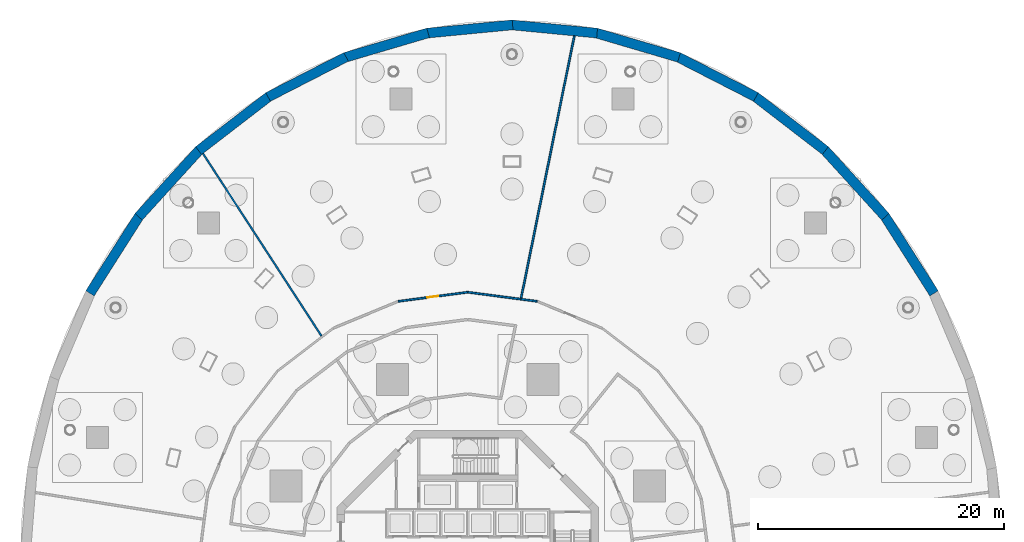
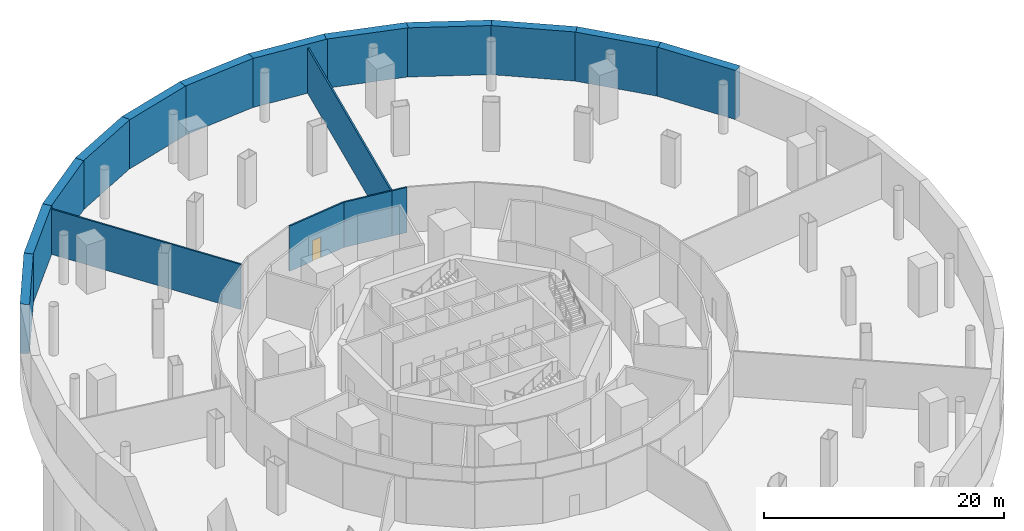
# One storey, part 10 of 14: 17 walls, 1 door, 1 opening.
"""IFC4 building model written with IfcOpenShell, lengths in metres."""

from ifc_helpers import new_model, si_unit, direction, frame, frame_2d, origin, place, context, subcontext, project, spatial, rectangle, extrude, material, layer, layer_set, type_object, element, fill, save


model = new_model("IFC4")

# Units and contexts
model_context = context("Model", 3, precision=1e-05, world=origin(), true_north=direction((0.0, 1.0)))
body_context = subcontext(model_context, "Body", "Model", "MODEL_VIEW")
ifc_project = project(units=[si_unit("LENGTHUNIT", "METRE"), si_unit("AREAUNIT", "SQUARE_METRE"), si_unit("VOLUMEUNIT", "CUBIC_METRE"), si_unit("PLANEANGLEUNIT", "RADIAN"), si_unit("MASSUNIT", "GRAM", prefix="KILO")], contexts=[model_context])

# Site, building, storey
site_placement = place(None, origin())
site = spatial("IfcSite", under=ifc_project, at=site_placement, CompositionType="ELEMENT")
building_placement = place(site_placement, origin())
building = spatial("IfcBuilding", under=site, at=building_placement, Name="Nagisa Residences", CompositionType="ELEMENT")
storey_placement = place(building_placement, frame((0.0, 0.0, -10.0)))
storey = spatial("IfcBuildingStorey", under=building, at=storey_placement, Name="B2", CompositionType="ELEMENT", Elevation=-10.0)

# Walls
ifc_material_1 = material(Name="Concrete C40", Category="concrete")
ifc_layer_1 = layer(ifc_material_1, 0.800048828125)
ifc_layer_set_1 = layer_set([ifc_layer_1], Name="Basement retaining wall 800")
wall_type_1 = type_object("IfcWallType", Name="Basement retaining wall 800", PredefinedType="SOLIDWALL", material=ifc_layer_set_1)
wall_1_placement = place(storey_placement, frame((-30.71337890625, 21.771728515625, 0.0), z_axis=(0.0, 0.0, 1.0), x_axis=(0.53698952756, 0.843588908943, 0.0)))
element("IfcWall", 1, at=wall_1_placement, inside=storey, type_object=wall_type_1, Name="wall:B2:ret22", PredefinedType="SOLIDWALL", context=body_context, shape_type="SweptSolid", body=[
    extrude(rectangle(XDim=7.480224609375, YDim=0.800048828125, at=frame_2d((3.740234375, 0.0))), origin(), (0.0, 0.0, 1.0), 5.0),
])
wall_2_placement = place(storey_placement, frame((-26.757080078125, 28.002685546875, 0.0), z_axis=(0.0, 0.0, 1.0), x_axis=(0.672652980875, 0.73995808484, 0.0)))
element("IfcWall", 2, at=wall_2_placement, inside=storey, type_object=wall_type_1, Name="wall:B2:ret23", PredefinedType="SOLIDWALL", context=body_context, shape_type="SweptSolid", body=[
    extrude(rectangle(XDim=7.35986328125, YDim=0.800048828125, at=frame_2d((3.679931640625, 0.0))), origin(), (0.0, 0.0, 1.0), 5.0),
])
wall_3_placement = place(storey_placement, frame((-21.879638671875, 33.381103515625, 0.0), z_axis=(0.0, 0.0, 1.0), x_axis=(0.792235092298, 0.610215993343, 0.0)))
element("IfcWall", 3, at=wall_3_placement, inside=storey, type_object=wall_type_1, Name="wall:B2:ret24", PredefinedType="SOLIDWALL", context=body_context, shape_type="SweptSolid", body=[
    extrude(rectangle(XDim=7.237548828125, YDim=0.800048828125, at=frame_2d((3.61865234375, 0.0))), origin(), (0.0, 0.0, 1.0), 5.0),
])
wall_4_placement = place(storey_placement, frame((-16.22998046875, 37.744140625, 0.0), z_axis=(0.0, 0.0, 1.0), x_axis=(0.889769676124, 0.456409819625, 0.0)))
element("IfcWall", 4, at=wall_4_placement, inside=storey, type_object=wall_type_1, Name="wall:B2:ret25", PredefinedType="SOLIDWALL", context=body_context, shape_type="SweptSolid", body=[
    extrude(rectangle(XDim=7.128173828125, YDim=0.800048828125, at=frame_2d((3.56396484375, 0.0))), origin(), (0.0, 0.0, 1.0), 5.0),
])
wall_5_placement = place(storey_placement, frame((-9.97998046875, 40.96044921875, 0.0), z_axis=(0.0, 0.0, 1.0), x_axis=(0.959194279998, 0.282747826197, 0.0)))
element("IfcWall", 5, at=wall_5_placement, inside=storey, type_object=wall_type_1, Name="wall:B2:ret26", PredefinedType="SOLIDWALL", context=body_context, shape_type="SweptSolid", body=[
    extrude(rectangle(XDim=7.0458984375, YDim=0.800048828125, at=frame_2d((3.52294921875, 0.0))), origin(), (0.0, 0.0, 1.0), 5.0),
])
for number, where, z_axis, x_axis, name in (
    (6, (-3.319580078125, 42.93359375, 0.0), (0.0, 0.0, 1.0), (0.995401742981, 0.095788152034, 0.0), "wall:B2:ret27"),
    (7, (3.55029296875, 43.604248046875, 0.0), (0.0, 0.0, 1.0), (0.995401742981, -0.095788152034, 0.0), "wall:B2:ret28"),
):
    element("IfcWall", number, at=place(storey_placement, frame(where, z_axis=z_axis, x_axis=x_axis)), inside=storey, type_object=wall_type_1, Name=name, PredefinedType="SOLIDWALL", context=body_context, shape_type="SweptSolid", body=[
        extrude(rectangle(XDim=7.00146484375, YDim=0.800048828125, at=frame_2d((3.500732421875, 0.0))), origin(), (0.0, 0.0, 1.0), 5.0),
    ])
wall_6_placement = place(storey_placement, frame((10.421630859375, 42.95263671875, 0.0), z_axis=(0.0, 0.0, 1.0), x_axis=(0.959194279998, -0.282747826197, 0.0)))
element("IfcWall", 8, at=wall_6_placement, inside=storey, type_object=wall_type_1, Name="wall:B2:ret29", PredefinedType="SOLIDWALL", context=body_context, shape_type="SweptSolid", body=[
    extrude(rectangle(XDim=7.0458984375, YDim=0.800048828125, at=frame_2d((3.52294921875, 0.0))), origin(), (0.0, 0.0, 1.0), 5.0),
])
wall_7_placement = place(storey_placement, frame((17.087646484375, 40.99755859375, 0.0), z_axis=(0.0, 0.0, 1.0), x_axis=(0.889762541272, -0.456423728732, 0.0)))
element("IfcWall", 9, at=wall_7_placement, inside=storey, type_object=wall_type_1, Name="wall:B2:ret30", PredefinedType="SOLIDWALL", context=body_context, shape_type="SweptSolid", body=[
    extrude(rectangle(XDim=7.128173828125, YDim=0.800048828125, at=frame_2d((3.56396484375, 0.0))), origin(), (0.0, 0.0, 1.0), 5.0),
])
wall_8_placement = place(storey_placement, frame((23.345703125, 37.797607421875, 0.0), z_axis=(0.0, 0.0, 1.0), x_axis=(0.792235092298, -0.610215993343, 0.0)))
element("IfcWall", 10, at=wall_8_placement, inside=storey, type_object=wall_type_1, Name="wall:B2:ret31", PredefinedType="SOLIDWALL", context=body_context, shape_type="SweptSolid", body=[
    extrude(rectangle(XDim=7.237548828125, YDim=0.800048828125, at=frame_2d((3.61865234375, 0.0))), origin(), (0.0, 0.0, 1.0), 5.0),
])
wall_9_placement = place(storey_placement, frame((29.00634765625, 33.44873046875, 0.0), z_axis=(0.0, 0.0, 1.0), x_axis=(0.672652980875, -0.73995808484, 0.0)))
element("IfcWall", 11, at=wall_9_placement, inside=storey, type_object=wall_type_1, Name="wall:B2:ret32", PredefinedType="SOLIDWALL", context=body_context, shape_type="SweptSolid", body=[
    extrude(rectangle(XDim=7.35986328125, YDim=0.800048828125, at=frame_2d((3.679931640625, 0.0))), origin(), (0.0, 0.0, 1.0), 5.0),
])
wall_10_placement = place(storey_placement, frame((33.896728515625, 28.08203125, 0.0), z_axis=(0.0, 0.0, 1.0), x_axis=(0.53696630052, -0.843603693748, 0.0)))
element("IfcWall", 12, at=wall_10_placement, inside=storey, type_object=wall_type_1, Name="wall:B2:ret33", PredefinedType="SOLIDWALL", context=body_context, shape_type="SweptSolid", body=[
    extrude(rectangle(XDim=7.480224609375, YDim=0.800048828125, at=frame_2d((3.740234375, 0.0))), origin(), (0.0, 0.0, 1.0), 5.0),
])
ifc_material_2 = material(Name="Gypsum board on steel studs", Category="steel")
ifc_layer_2 = layer(ifc_material_2, 0.14990234375)
ifc_layer_set_2 = layer_set([ifc_layer_2], Name="Room partition EI60 150")
wall_type_2 = type_object("IfcWallType", Name="Room partition EI60 150", PredefinedType="PARTITIONING", material=ifc_layer_set_2)
wall_11_placement = place(storey_placement, frame((-11.88720703125, 18.3046875, 0.0), z_axis=(0.0, 0.0, 1.0), x_axis=(-0.544635811305, 0.838672661438, 0.0)))
element("IfcWall", 13, at=wall_11_placement, inside=storey, type_object=wall_type_2, Name="wall:B2:am011", PredefinedType="PARTITIONING", context=body_context, shape_type="SweptSolid", body=[
    extrude(rectangle(XDim=17.69873046875, YDim=0.14990234375, at=frame_2d((8.849365234375, 0.0))), origin(), (0.0, 0.0, 1.0), 4.60009765625),
])

# Wall, opening, door
wall_12_placement = place(storey_placement, frame((-5.64892578125, 21.126953125, 0.0), z_axis=(0.0, 0.0, 1.0), x_axis=(0.991444062143, 0.130532262837, 0.0)))
wall_12 = element("IfcWall", 14, at=wall_12_placement, inside=storey, type_object=wall_type_2, Name="wall:B2:am019", PredefinedType="PARTITIONING", context=body_context, shape_type="SweptSolid", body=[
    extrude(rectangle(XDim=5.685791015625, YDim=0.14990234375, at=frame_2d((2.8427734375, 0.0))), origin(), (0.0, 0.0, 1.0), 4.60009765625),
])
opening_placement = place(wall_12_placement, frame((2.392822265625, 0.0, 0.0)))
opening = element("IfcOpeningElement", 15, at=opening_placement, cuts=wall_12, Name="Opening B2-A09", PredefinedType="OPENING", context=body_context, shape_type="SweptSolid", body=[
    extrude(rectangle(XDim=0.89990234375, YDim=2.10009765625, at=frame_2d((0.449951171875, 1.050048828125))), frame((0.0, 0.0849609375, 0.0), z_axis=(0.0, -1.0, 0.0), x_axis=(1.0, 0.0, 0.0)), (0.0, 0.0, 1.0), 0.169921875),
])
ifc_material_3 = material(Name="Steel fire door", Category="steel")
door_type = type_object("IfcDoorType", Name="Fire door EI30 900x2100 single swing", OperationType="NOTDEFINED", PredefinedType="DOOR", material=ifc_material_3)
door_placement = place(opening_placement, origin())
door = element("IfcDoor", 16, at=door_placement, inside=storey, type_object=door_type, Name="Bicycle store door", OperationType="SINGLE_SWING_RIGHT", OverallHeight=2.10009765625, OverallWidth=0.89990234375, PredefinedType="DOOR", context=body_context, shape_type="SweptSolid", body=[
    extrude(rectangle(XDim=0.89990234375, YDim=2.10009765625, at=frame_2d((0.449951171875, 1.050048828125))), frame((0.0, 0.02490234375, 0.0), z_axis=(0.0, -1.0, 0.0), x_axis=(1.0, 0.0, 0.0)), (0.0, 0.0, 1.0), 0.050048828125),
])
fill(opening, door)

# Walls
wall_13_placement = place(storey_placement, frame((0.01171875, 21.869140625, 0.0), z_axis=(0.0, 0.0, 1.0), x_axis=(0.991449134579, -0.130493729895, 0.0)))
element("IfcWall", 17, at=wall_13_placement, inside=storey, type_object=wall_type_2, Name="wall:B2:am024", PredefinedType="PARTITIONING", context=body_context, shape_type="SweptSolid", body=[
    extrude(rectangle(XDim=4.347900390625, YDim=0.14990234375, at=frame_2d((2.173828125, 0.0))), origin(), (0.0, 0.0, 1.0), 4.60009765625),
])
wall_14_placement = place(storey_placement, frame((4.322509765625, 21.3017578125, 0.0), z_axis=(0.0, 0.0, 1.0), x_axis=(0.991427566975, -0.13065748904, 0.0)))
element("IfcWall", 18, at=wall_14_placement, inside=storey, type_object=wall_type_2, Name="wall:B2:am027", PredefinedType="PARTITIONING", context=body_context, shape_type="SweptSolid", body=[
    extrude(rectangle(XDim=1.337890625, YDim=0.14990234375, at=frame_2d((0.6689453125, 0.0))), origin(), (0.0, 0.0, 1.0), 4.60009765625),
])
wall_15_placement = place(storey_placement, frame((4.337646484375, 21.37548828125, 0.0), z_axis=(0.0, 0.0, 1.0), x_axis=(0.198863021453, 0.980027294874, 0.0)))
element("IfcWall", 19, at=wall_15_placement, inside=storey, type_object=wall_type_2, Name="wall:B2:am028", PredefinedType="PARTITIONING", context=body_context, shape_type="SweptSolid", body=[
    extrude(rectangle(XDim=21.769287109375, YDim=0.14990234375, at=frame_2d((10.884765625, 0.0))), origin(), (0.0, 0.0, 1.0), 4.60009765625),
])

save(model, "model.ifc")
